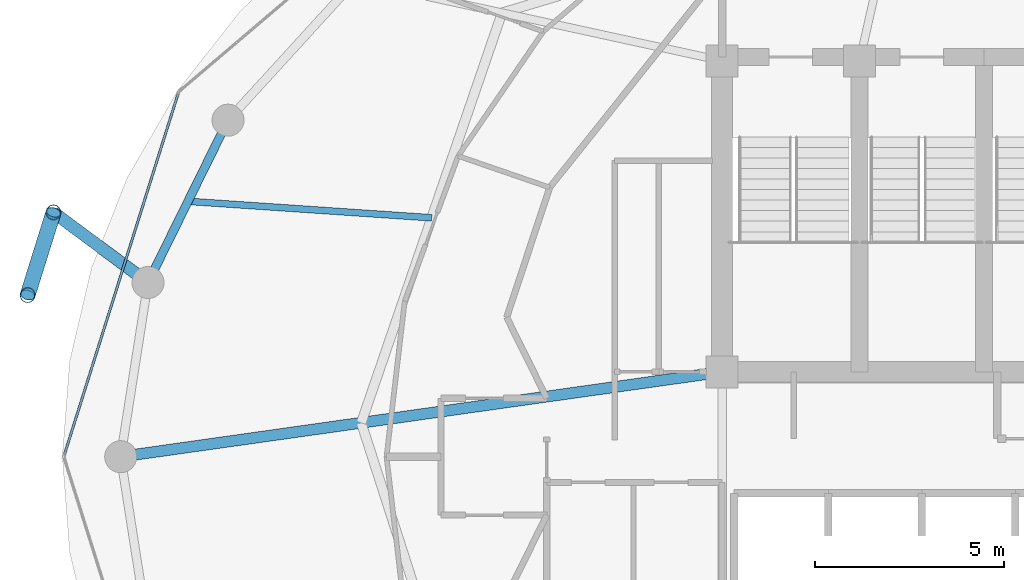
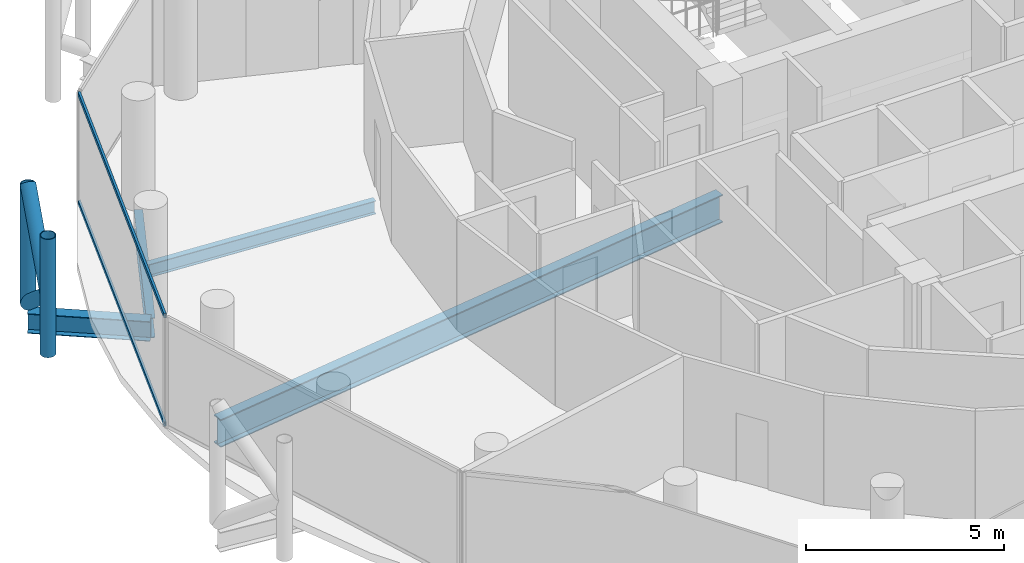
# One storey, part 8 of 27: 6 members, 4 beams, 1 element without a shape of its own.
"""IFC4 building model written with IfcOpenShell, lengths in metres."""

from ifc_helpers import new_model, si_unit, direction, frame, origin, origin_2d, place, context, subcontext, project, spatial, hollow_rectangle, hollow_circle, i_section, extrude, material, layer, layer_set, material_profile, profile_set, type_object, element, aggregate, save


model = new_model("IFC4")

# Units and contexts
model_context = context("Model", 3, precision=1e-05, world=origin(), true_north=direction((0.0, 1.0)))
body_context = subcontext(model_context, "Body", "Model", "MODEL_VIEW")
ifc_project = project(units=[si_unit("LENGTHUNIT", "METRE"), si_unit("AREAUNIT", "SQUARE_METRE"), si_unit("VOLUMEUNIT", "CUBIC_METRE"), si_unit("PLANEANGLEUNIT", "RADIAN"), si_unit("MASSUNIT", "GRAM", prefix="KILO")], contexts=[model_context])

# Site, building, storey
site_placement = place(None, origin())
site = spatial("IfcSite", under=ifc_project, at=site_placement, CompositionType="ELEMENT")
building_placement = place(site_placement, origin())
building = spatial("IfcBuilding", under=site, at=building_placement, Name="Nuhasar Tower", CompositionType="ELEMENT")
storey_placement = place(building_placement, frame((0.0, 0.0, 215.449951171875)))
storey = spatial("IfcBuildingStorey", under=building, at=storey_placement, Name="L52", CompositionType="ELEMENT", Elevation=215.449951171875)

# Beams
ifc_material_1 = material(Name="Steel S355", Category="steel")
ifc_material_profile_1 = material_profile(ifc_material_1, i_section(OverallWidth=0.177978515625, OverallDepth=0.406005859375, WebThickness=0.0078125, FlangeThickness=0.0126953125, at=origin_2d()), Name="W16X40")
ifc_profile_set_1 = profile_set([ifc_material_profile_1], Name="Steel S355")
beam_type_1 = type_object("IfcBeamType", Name="BM-JST-W16X40", PredefinedType="JOIST", material=ifc_profile_set_1)
beam_1_placement = place(storey_placement, frame((25.9970703125, 33.135986328125, -0.44287109375), z_axis=(-0.997721156568, 0.067472170095, 0.0), x_axis=(-0.067472170095, -0.997721156568, 0.0)))
element("IfcBeam", 1, at=beam_1_placement, inside=storey, type_object=beam_type_1, Name="L52 Secondary Floor Joist 07", PredefinedType="JOIST", context=body_context, shape_type="SweptSolid", body=[
    extrude(i_section(OverallWidth=0.177978515625, OverallDepth=0.406005859375, WebThickness=0.0078125, FlangeThickness=0.0126953125, at=origin_2d()), origin(), (0.0, 0.0, 1.0), 6.476806640625),
])
ifc_material_profile_2 = material_profile(ifc_material_1, i_section(OverallWidth=0.2919921875, OverallDepth=0.85888671875, WebThickness=0.01708984375, FlangeThickness=0.031005859375, at=origin_2d()), Name="W33X169")
ifc_profile_set_2 = profile_set([ifc_material_profile_2], Name="Steel S355")
beam_type_2 = type_object("IfcBeamType", Name="BM-POD-W33X169", PredefinedType="BEAM", material=ifc_profile_set_2)
beam_2_placement = place(storey_placement, frame((33.699951171875, 29.050048828125, -0.6689453125), z_axis=(-0.990196233464, -0.139683281866, 0.0), x_axis=(0.139683281866, -0.990196233464, 0.0)))
element("IfcBeam", 2, at=beam_2_placement, inside=storey, type_object=beam_type_2, Name="L52 Radial Floor Girder 08", PredefinedType="BEAM", context=body_context, shape_type="SweptSolid", body=[
    extrude(i_section(OverallWidth=0.2919921875, OverallDepth=0.85888671875, WebThickness=0.01708984375, FlangeThickness=0.031005859375, at=origin_2d()), origin(), (0.0, 0.0, 1.0), 16.10791015625),
])
ifc_material_profile_3 = material_profile(ifc_material_1, i_section(OverallWidth=0.22802734375, OverallDepth=0.60791015625, WebThickness=0.01123046875, FlangeThickness=0.017333984375, at=origin_2d()), Name="W24X76")
ifc_profile_set_3 = profile_set([ifc_material_profile_3], Name="Steel S355")
beam_type_3 = type_object("IfcBeamType", Name="BM-RING-W24X76", PredefinedType="SPANDREL", material=ifc_profile_set_3)
beam_3_placement = place(storey_placement, frame((20.596923828125, 35.72509765625, -0.5439453125), z_axis=(-0.442242604409, -0.896895467067, 0.0), x_axis=(0.896895467067, -0.442242604409, 0.0)))
element("IfcBeam", 3, at=beam_3_placement, inside=storey, type_object=beam_type_3, Name="L52 Perimeter Ring Spandrel 11", PredefinedType="SPANDREL", context=body_context, shape_type="SweptSolid", body=[
    extrude(i_section(OverallWidth=0.22802734375, OverallDepth=0.60791015625, WebThickness=0.01123046875, FlangeThickness=0.017333984375, at=origin_2d()), origin(), (0.0, 0.0, 1.0), 4.800048828125),
])
ifc_material_profile_4 = material_profile(ifc_material_1, i_section(OverallWidth=0.323974609375, OverallDepth=0.611083984375, WebThickness=0.0126953125, FlangeThickness=0.01904296875, at=origin_2d()), Name="W24X104")
ifc_profile_set_4 = profile_set([ifc_material_profile_4], Name="Steel S355")
beam_type_4 = type_object("IfcBeamType", Name="BM-TIE-W24X104", PredefinedType="BEAM", material=ifc_profile_set_4)
beam_4_placement = place(storey_placement, frame((18.47412109375, 31.419921875, -0.544921875), z_axis=(-0.802945922723, 0.596051881285, 0.0), x_axis=(-0.596051881285, -0.802945922723, 0.0)))
element("IfcBeam", 4, at=beam_4_placement, inside=storey, type_object=beam_type_4, Name="L52 Exoskeleton Node Tie Beam 06", PredefinedType="BEAM", context=body_context, shape_type="SweptSolid", body=[
    extrude(i_section(OverallWidth=0.323974609375, OverallDepth=0.611083984375, WebThickness=0.0126953125, FlangeThickness=0.01904296875, at=origin_2d()), origin(), (0.0, 0.0, 1.0), 3.122314453125),
])

# Curtain wall, members
ifc_material_2 = material(Name="Aluminium 6063-T6", Category="aluminium")
ifc_layer = layer(ifc_material_2, 0.18994140625)
ifc_layer_set = layer_set([ifc_layer], Name="Aluminium 6063-T6")
curtain_wall_type = type_object("IfcCurtainWallType", Name="CW-Z3-RES", PredefinedType="NOTDEFINED", material=ifc_layer_set)
curtain_wall_placement = place(storey_placement, origin())
curtain_wall = element("IfcCurtainWall", 5, at=curtain_wall_placement, inside=storey, type_object=curtain_wall_type, Name="L52 Unitised Curtain Wall 06", PredefinedType="NOTDEFINED")
ifc_material_profile_5 = material_profile(ifc_material_2, hollow_rectangle(XDim=0.06494140625, YDim=0.139892578125, WallThickness=0.00439453125, at=origin_2d()), Name="CWT-4")
ifc_profile_set_5 = profile_set([ifc_material_profile_5], Name="Aluminium 6063-T6")
member_type_1 = type_object("IfcMemberType", Name="CW-TRN-S4", PredefinedType="USERDEFINED", material=ifc_profile_set_5)
member_1_placement = place(storey_placement, frame((19.26953125, 36.41796875, 0.032470703125), z_axis=(-0.300437373386, -0.953801543652, 0.0), x_axis=(0.953801543652, -0.300437373386, 0.0)))
member_1 = element("IfcMember", 6, at=member_1_placement, type_object=member_type_1, Name="CW-Z3 transom 1.1", ObjectType="TRANSOM", PredefinedType="USERDEFINED", context=body_context, shape_type="SweptSolid", body=[
    extrude(hollow_rectangle(XDim=0.06494140625, YDim=0.139892578125, WallThickness=0.00439453125, at=origin_2d()), origin(), (0.0, 0.0, 1.0), 10.018798828125),
])
member_2_placement = place(storey_placement, frame((19.26953125, 36.41796875, 3.37744140625), z_axis=(-0.300437373386, -0.953801543652, 0.0), x_axis=(0.953801543652, -0.300437373386, 0.0)))
member_2 = element("IfcMember", 7, at=member_2_placement, type_object=member_type_1, Name="CW-Z3 transom 1.2", ObjectType="TRANSOM", PredefinedType="USERDEFINED", context=body_context, shape_type="SweptSolid", body=[
    extrude(hollow_rectangle(XDim=0.06494140625, YDim=0.139892578125, WallThickness=0.00439453125, at=origin_2d()), origin(), (0.0, 0.0, 1.0), 10.018798828125),
])
aggregate(curtain_wall, [member_1, member_2])

# Members
ifc_material_3 = material(Name="Steel S460", Category="steel")
ifc_material_profile_6 = material_profile(ifc_material_3, hollow_circle(Radius=0.203125, WallThickness=0.01904296875, at=origin_2d()), Name="HSS406.4X19.1")
ifc_profile_set_6 = profile_set([ifc_material_profile_6], Name="Steel S460")
member_type_2 = type_object("IfcMemberType", Name="EXO-BRONZE-406", PredefinedType="BRACE", material=ifc_profile_set_6)
for number, where, z_axis, x_axis, name in (
    (8, (15.967041015625, 33.281005859375, 0.0), (0.0, 0.0, 1.0), (1.0, 0.0, 0.0), "L52 Exoskeleton Chord Column EC-06A"),
    (9, (15.281982421875, 31.0859375, 0.0), (0.0, 0.0, 1.0), (1.0, 0.0, 0.0), "L52 Exoskeleton Chord Column EC-06B"),
):
    element("IfcMember", number, at=place(storey_placement, frame(where, z_axis=z_axis, x_axis=x_axis)), inside=storey, type_object=member_type_2, Name=name, PredefinedType="BRACE", context=body_context, shape_type="SweptSolid", body=[
        extrude(hollow_circle(Radius=0.203125, WallThickness=0.01904296875, at=origin_2d()), origin(), (0.0, 0.0, 1.0), 3.650146484375),
    ])
member_3_placement = place(storey_placement, frame((15.967041015625, 33.281005859375, 0.0), z_axis=(-0.233357911711, -0.747726651531, 0.621650174641), x_axis=(0.954591372974, -0.297918295247, 0.0)))
element("IfcMember", 10, at=member_3_placement, inside=storey, type_object=member_type_2, Name="L52 Bronze Diagrid Brace W1-06", PredefinedType="BRACE", context=body_context, shape_type="SweptSolid", body=[
    extrude(hollow_circle(Radius=0.203125, WallThickness=0.01904296875, at=origin_2d()), origin(), (0.0, 0.0, 1.0), 2.935546875),
])
member_4_placement = place(storey_placement, frame((15.281982421875, 31.0859375, 1.824951171875), z_axis=(0.233345847503, 0.747687995332, 0.621701195985), x_axis=(-0.954591372974, 0.297918295247, 0.0)))
element("IfcMember", 11, at=member_4_placement, inside=storey, type_object=member_type_2, Name="L52 Bronze Diagrid Brace W2-06", PredefinedType="BRACE", context=body_context, shape_type="SweptSolid", body=[
    extrude(hollow_circle(Radius=0.203125, WallThickness=0.01904296875, at=origin_2d()), origin(), (0.0, 0.0, 1.0), 2.935791015625),
])

save(model, "model.ifc")
